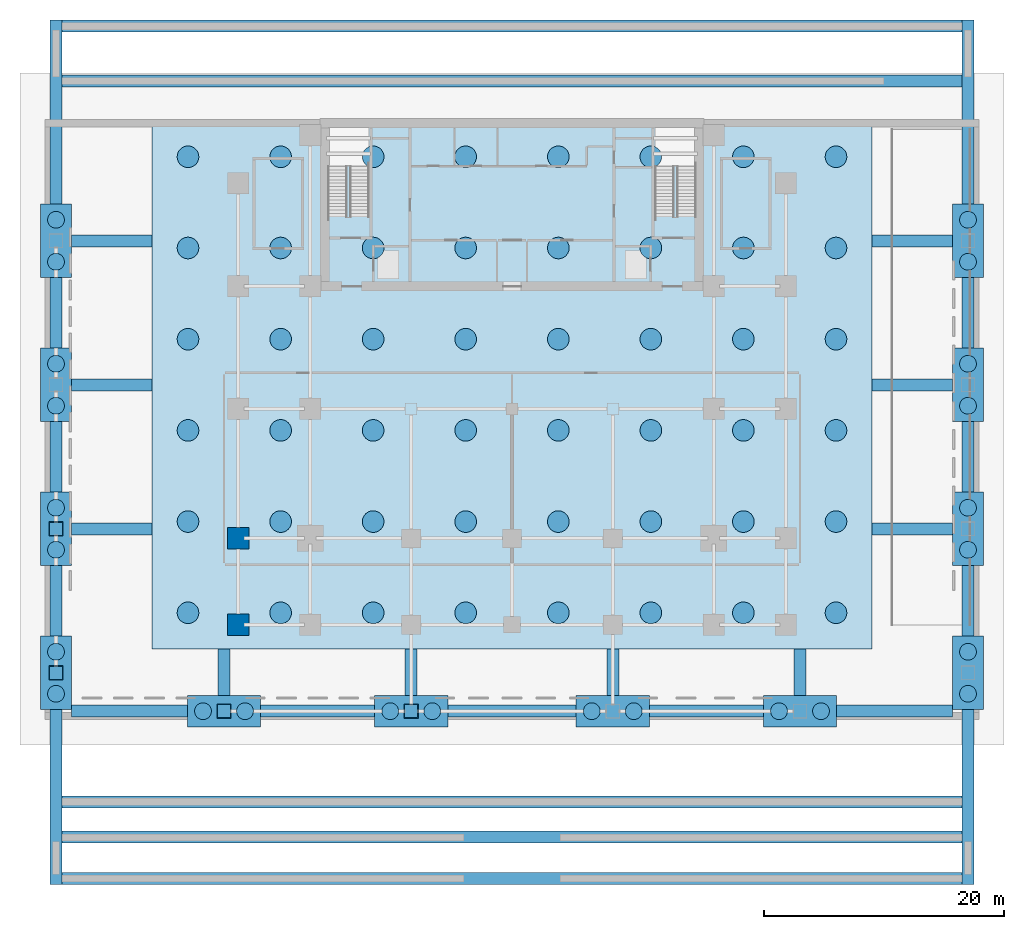
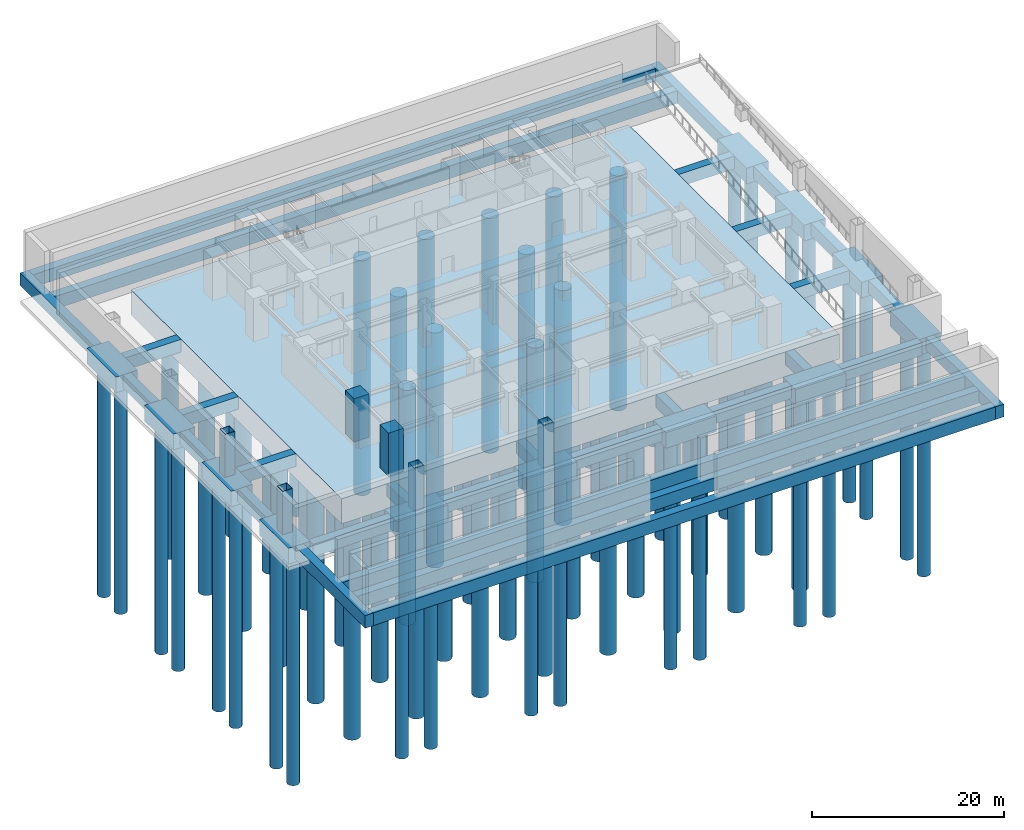
# One storey, part 1 of 9: 72 piles, 43 footings, 6 columns.
"""IFC4 building model written with IfcOpenShell, lengths in metres."""

from ifc_helpers import new_model, si_unit, direction, frame, origin, origin_2d, place, context, subcontext, project, spatial, polyline, rectangle, hollow_rectangle, circle, outline, extrude, source, transform, mapped, material, layer, layer_set, material_profile, profile_set, type_object, element, save


model = new_model("IFC4")

# Units and contexts
model_context = context("Model", 3, precision=1e-05, world=origin(), true_north=direction((0.0, 1.0)))
body_context = subcontext(model_context, "Body", "Model", "MODEL_VIEW")
ifc_project = project(units=[si_unit("LENGTHUNIT", "METRE"), si_unit("AREAUNIT", "SQUARE_METRE"), si_unit("VOLUMEUNIT", "CUBIC_METRE"), si_unit("PLANEANGLEUNIT", "RADIAN"), si_unit("MASSUNIT", "GRAM", prefix="KILO")], contexts=[model_context])

# Site, building, storey
site_placement = place(None, origin())
site = spatial("IfcSite", under=ifc_project, at=site_placement, CompositionType="ELEMENT")
building_placement = place(site_placement, origin())
building = spatial("IfcBuilding", under=site, at=building_placement, Name="Sumidabori Civic Tower", CompositionType="ELEMENT")
storey_placement = place(building_placement, frame((0.0, 0.0, -11.0)))
storey = spatial("IfcBuildingStorey", under=building, at=storey_placement, Name="B2", CompositionType="ELEMENT", Elevation=-11.0)

# Footings
ifc_material_1 = material(Name="Concrete C50/60", Category="concrete")
ifc_layer_1 = layer(ifc_material_1, 1.60009765625, Name="Concrete C50/60")
ifc_layer_set_1 = layer_set([ifc_layer_1], Name="Concrete C50/60")
footing_type_1 = type_object("IfcFootingType", Name="FT-GB-1000x1600", PredefinedType="FOOTING_BEAM", material=ifc_layer_set_1)
footing_1_placement = place(storey_placement, frame((0.0, 0.0, -1.60009765625)))
element("IfcFooting", 1, at=footing_1_placement, inside=storey, type_object=footing_type_1, Name="Foundation Grade Beam GB-W1", PredefinedType="FOOTING_BEAM", context=body_context, shape_type="SweptSolid", body=[
    extrude(outline(polyline([(-38.5, -18.949951171875), (-37.5, -18.949951171875), (-37.5, -13.050048828125), (-38.5, -13.050048828125), (-38.5, -18.949951171875)])), origin(), (0.0, 0.0, 1.0), 1.60009765625),
])
footing_2_placement = place(storey_placement, frame((0.0, 0.0, -1.60009765625)))
element("IfcFooting", 2, at=footing_2_placement, inside=storey, type_object=footing_type_1, Name="Foundation Grade Beam GB-W2", PredefinedType="FOOTING_BEAM", context=body_context, shape_type="SweptSolid", body=[
    extrude(outline(polyline([(-38.5, -6.949951171875), (-37.5, -6.949951171875), (-37.5, -1.050048828125), (-38.5, -1.050048828125), (-38.5, -6.949951171875)])), origin(), (0.0, 0.0, 1.0), 1.60009765625),
])
footing_3_placement = place(storey_placement, frame((0.0, 0.0, -1.60009765625)))
element("IfcFooting", 3, at=footing_3_placement, inside=storey, type_object=footing_type_1, Name="Foundation Grade Beam GB-W3", PredefinedType="FOOTING_BEAM", context=body_context, shape_type="SweptSolid", body=[
    extrude(outline(polyline([(-38.5, 5.050048828125), (-37.5, 5.050048828125), (-37.5, 10.949951171875), (-38.5, 10.949951171875), (-38.5, 5.050048828125)])), origin(), (0.0, 0.0, 1.0), 1.60009765625),
])
footing_4_placement = place(storey_placement, frame((0.0, 0.0, -1.60009765625)))
element("IfcFooting", 4, at=footing_4_placement, inside=storey, type_object=footing_type_1, Name="Foundation Grade Beam GB-WT2", PredefinedType="FOOTING_BEAM", context=body_context, shape_type="SweptSolid", body=[
    extrude(outline(polyline([(-36.699951171875, -10.5), (-30.0, -10.5), (-30.0, -9.5), (-36.699951171875, -9.5), (-36.699951171875, -10.5)])), origin(), (0.0, 0.0, 1.0), 1.60009765625),
])
footing_5_placement = place(storey_placement, frame((0.0, 0.0, -1.60009765625)))
element("IfcFooting", 5, at=footing_5_placement, inside=storey, type_object=footing_type_1, Name="Foundation Grade Beam GB-WT3", PredefinedType="FOOTING_BEAM", context=body_context, shape_type="SweptSolid", body=[
    extrude(outline(polyline([(-36.699951171875, 1.5), (-30.0, 1.5), (-30.0, 2.5), (-36.699951171875, 2.5), (-36.699951171875, 1.5)])), origin(), (0.0, 0.0, 1.0), 1.60009765625),
])
footing_6_placement = place(storey_placement, frame((0.0, 0.0, -1.60009765625)))
element("IfcFooting", 6, at=footing_6_placement, inside=storey, type_object=footing_type_1, Name="Foundation Grade Beam GB-WT4", PredefinedType="FOOTING_BEAM", context=body_context, shape_type="SweptSolid", body=[
    extrude(outline(polyline([(-36.699951171875, 13.5), (-30.0, 13.5), (-30.0, 14.5), (-36.699951171875, 14.5), (-36.699951171875, 13.5)])), origin(), (0.0, 0.0, 1.0), 1.60009765625),
])
footing_7_placement = place(storey_placement, frame((0.0, 0.0, -1.60009765625)))
element("IfcFooting", 7, at=footing_7_placement, inside=storey, type_object=footing_type_1, Name="Foundation Grade Beam GB-E1", PredefinedType="FOOTING_BEAM", context=body_context, shape_type="SweptSolid", body=[
    extrude(outline(polyline([(37.5, -18.949951171875), (38.5, -18.949951171875), (38.5, -13.050048828125), (37.5, -13.050048828125), (37.5, -18.949951171875)])), origin(), (0.0, 0.0, 1.0), 1.60009765625),
])
footing_8_placement = place(storey_placement, frame((0.0, 0.0, -1.60009765625)))
element("IfcFooting", 8, at=footing_8_placement, inside=storey, type_object=footing_type_1, Name="Foundation Grade Beam GB-E2", PredefinedType="FOOTING_BEAM", context=body_context, shape_type="SweptSolid", body=[
    extrude(outline(polyline([(37.5, -6.949951171875), (38.5, -6.949951171875), (38.5, -1.050048828125), (37.5, -1.050048828125), (37.5, -6.949951171875)])), origin(), (0.0, 0.0, 1.0), 1.60009765625),
])
footing_9_placement = place(storey_placement, frame((0.0, 0.0, -1.60009765625)))
element("IfcFooting", 9, at=footing_9_placement, inside=storey, type_object=footing_type_1, Name="Foundation Grade Beam GB-E3", PredefinedType="FOOTING_BEAM", context=body_context, shape_type="SweptSolid", body=[
    extrude(outline(polyline([(37.5, 5.050048828125), (38.5, 5.050048828125), (38.5, 10.949951171875), (37.5, 10.949951171875), (37.5, 5.050048828125)])), origin(), (0.0, 0.0, 1.0), 1.60009765625),
])
footing_10_placement = place(storey_placement, frame((0.0, 0.0, -1.60009765625)))
element("IfcFooting", 10, at=footing_10_placement, inside=storey, type_object=footing_type_1, Name="Foundation Grade Beam GB-ET2", PredefinedType="FOOTING_BEAM", context=body_context, shape_type="SweptSolid", body=[
    extrude(outline(polyline([(30.0, -10.5), (36.699951171875, -10.5), (36.699951171875, -9.5), (30.0, -9.5), (30.0, -10.5)])), origin(), (0.0, 0.0, 1.0), 1.60009765625),
])
footing_11_placement = place(storey_placement, frame((0.0, 0.0, -1.60009765625)))
element("IfcFooting", 11, at=footing_11_placement, inside=storey, type_object=footing_type_1, Name="Foundation Grade Beam GB-ET3", PredefinedType="FOOTING_BEAM", context=body_context, shape_type="SweptSolid", body=[
    extrude(outline(polyline([(30.0, 1.5), (36.699951171875, 1.5), (36.699951171875, 2.5), (30.0, 2.5), (30.0, 1.5)])), origin(), (0.0, 0.0, 1.0), 1.60009765625),
])
footing_12_placement = place(storey_placement, frame((0.0, 0.0, -1.60009765625)))
element("IfcFooting", 12, at=footing_12_placement, inside=storey, type_object=footing_type_1, Name="Foundation Grade Beam GB-ET4", PredefinedType="FOOTING_BEAM", context=body_context, shape_type="SweptSolid", body=[
    extrude(outline(polyline([(30.0, 13.5), (36.699951171875, 13.5), (36.699951171875, 14.5), (30.0, 14.5), (30.0, 13.5)])), origin(), (0.0, 0.0, 1.0), 1.60009765625),
])
footing_13_placement = place(storey_placement, frame((0.0, 0.0, -1.60009765625)))
element("IfcFooting", 13, at=footing_13_placement, inside=storey, type_object=footing_type_1, Name="Foundation Grade Beam GB-S0", PredefinedType="FOOTING_BEAM", context=body_context, shape_type="SweptSolid", body=[
    extrude(outline(polyline([(-36.699951171875, -25.699951171875), (-27.050048828125, -25.699951171875), (-27.050048828125, -24.699951171875), (-36.699951171875, -24.699951171875), (-36.699951171875, -25.699951171875)])), origin(), (0.0, 0.0, 1.0), 1.60009765625),
])
footing_14_placement = place(storey_placement, frame((0.0, 0.0, -1.60009765625)))
element("IfcFooting", 14, at=footing_14_placement, inside=storey, type_object=footing_type_1, Name="Foundation Grade Beam GB-S1", PredefinedType="FOOTING_BEAM", context=body_context, shape_type="SweptSolid", body=[
    extrude(outline(polyline([(-20.949951171875, -25.699951171875), (-11.449951171875, -25.699951171875), (-11.449951171875, -24.699951171875), (-20.949951171875, -24.699951171875), (-20.949951171875, -25.699951171875)])), origin(), (0.0, 0.0, 1.0), 1.60009765625),
])
footing_15_placement = place(storey_placement, frame((0.0, 0.0, -1.60009765625)))
element("IfcFooting", 15, at=footing_15_placement, inside=storey, type_object=footing_type_1, Name="Foundation Grade Beam GB-S2", PredefinedType="FOOTING_BEAM", context=body_context, shape_type="SweptSolid", body=[
    extrude(outline(polyline([(-5.35009765625, -25.699951171875), (5.35009765625, -25.699951171875), (5.35009765625, -24.699951171875), (-5.35009765625, -24.699951171875), (-5.35009765625, -25.699951171875)])), origin(), (0.0, 0.0, 1.0), 1.60009765625),
])
footing_16_placement = place(storey_placement, frame((0.0, 0.0, -1.60009765625)))
element("IfcFooting", 16, at=footing_16_placement, inside=storey, type_object=footing_type_1, Name="Foundation Grade Beam GB-S3", PredefinedType="FOOTING_BEAM", context=body_context, shape_type="SweptSolid", body=[
    extrude(outline(polyline([(11.449951171875, -25.699951171875), (20.949951171875, -25.699951171875), (20.949951171875, -24.699951171875), (11.449951171875, -24.699951171875), (11.449951171875, -25.699951171875)])), origin(), (0.0, 0.0, 1.0), 1.60009765625),
])
footing_17_placement = place(storey_placement, frame((0.0, 0.0, -1.60009765625)))
element("IfcFooting", 17, at=footing_17_placement, inside=storey, type_object=footing_type_1, Name="Foundation Grade Beam GB-S4", PredefinedType="FOOTING_BEAM", context=body_context, shape_type="SweptSolid", body=[
    extrude(outline(polyline([(27.050048828125, -25.699951171875), (36.699951171875, -25.699951171875), (36.699951171875, -24.699951171875), (27.050048828125, -24.699951171875), (27.050048828125, -25.699951171875)])), origin(), (0.0, 0.0, 1.0), 1.60009765625),
])
footing_18_placement = place(storey_placement, frame((0.0, 0.0, -1.60009765625)))
element("IfcFooting", 18, at=footing_18_placement, inside=storey, type_object=footing_type_1, Name="Foundation Grade Beam GB-ST1", PredefinedType="FOOTING_BEAM", context=body_context, shape_type="SweptSolid", body=[
    extrude(outline(polyline([(-24.5, -23.89990234375), (-23.5, -23.89990234375), (-23.5, -20.0), (-24.5, -20.0), (-24.5, -23.89990234375)])), origin(), (0.0, 0.0, 1.0), 1.60009765625),
])
footing_19_placement = place(storey_placement, frame((0.0, 0.0, -1.60009765625)))
element("IfcFooting", 19, at=footing_19_placement, inside=storey, type_object=footing_type_1, Name="Foundation Grade Beam GB-ST2", PredefinedType="FOOTING_BEAM", context=body_context, shape_type="SweptSolid", body=[
    extrude(outline(polyline([(-8.89990234375, -23.89990234375), (-7.89990234375, -23.89990234375), (-7.89990234375, -20.0), (-8.89990234375, -20.0), (-8.89990234375, -23.89990234375)])), origin(), (0.0, 0.0, 1.0), 1.60009765625),
])
footing_20_placement = place(storey_placement, frame((0.0, 0.0, -1.60009765625)))
element("IfcFooting", 20, at=footing_20_placement, inside=storey, type_object=footing_type_1, Name="Foundation Grade Beam GB-ST3", PredefinedType="FOOTING_BEAM", context=body_context, shape_type="SweptSolid", body=[
    extrude(outline(polyline([(7.89990234375, -23.89990234375), (8.89990234375, -23.89990234375), (8.89990234375, -20.0), (7.89990234375, -20.0), (7.89990234375, -23.89990234375)])), origin(), (0.0, 0.0, 1.0), 1.60009765625),
])
footing_21_placement = place(storey_placement, frame((0.0, 0.0, -1.60009765625)))
element("IfcFooting", 21, at=footing_21_placement, inside=storey, type_object=footing_type_1, Name="Foundation Grade Beam GB-ST4", PredefinedType="FOOTING_BEAM", context=body_context, shape_type="SweptSolid", body=[
    extrude(outline(polyline([(23.5, -23.89990234375), (24.5, -23.89990234375), (24.5, -20.0), (23.5, -20.0), (23.5, -23.89990234375)])), origin(), (0.0, 0.0, 1.0), 1.60009765625),
])
footing_22_placement = place(storey_placement, frame((0.0, 0.0, -1.60009765625)))
element("IfcFooting", 22, at=footing_22_placement, inside=storey, type_object=footing_type_1, Name="Foundation Grade Beam GB-PLZ-CW", PredefinedType="FOOTING_BEAM", context=body_context, shape_type="SweptSolid", body=[
    extrude(outline(polyline([(-38.5, -39.64990234375), (-37.5, -39.64990234375), (-37.5, -25.050048828125), (-38.5, -25.050048828125), (-38.5, -39.64990234375)])), origin(), (0.0, 0.0, 1.0), 1.60009765625),
])
footing_23_placement = place(storey_placement, frame((0.0, 0.0, -1.60009765625)))
element("IfcFooting", 23, at=footing_23_placement, inside=storey, type_object=footing_type_1, Name="Foundation Grade Beam GB-PLZ-CE", PredefinedType="FOOTING_BEAM", context=body_context, shape_type="SweptSolid", body=[
    extrude(outline(polyline([(37.5, -39.64990234375), (38.5, -39.64990234375), (38.5, -25.050048828125), (37.5, -25.050048828125), (37.5, -39.64990234375)])), origin(), (0.0, 0.0, 1.0), 1.60009765625),
])
footing_24_placement = place(storey_placement, frame((0.0, 0.0, -1.60009765625)))
element("IfcFooting", 24, at=footing_24_placement, inside=storey, type_object=footing_type_1, Name="Foundation Grade Beam GB-PLZ-S", PredefinedType="FOOTING_BEAM", context=body_context, shape_type="SweptSolid", body=[
    extrude(outline(polyline([(-37.5, -39.64990234375), (37.5, -39.64990234375), (37.5, -38.64990234375), (-37.5, -38.64990234375), (-37.5, -39.64990234375)])), origin(), (0.0, 0.0, 1.0), 1.60009765625),
])
footing_25_placement = place(storey_placement, frame((0.0, 0.0, -1.60009765625)))
element("IfcFooting", 25, at=footing_25_placement, inside=storey, type_object=footing_type_1, Name="Foundation Grade Beam GB-PLZ-N", PredefinedType="FOOTING_BEAM", context=body_context, shape_type="SweptSolid", body=[
    extrude(outline(polyline([(-37.5, -36.199951171875), (37.5, -36.199951171875), (37.5, -35.199951171875), (-37.5, -35.199951171875), (-37.5, -36.199951171875)])), origin(), (0.0, 0.0, 1.0), 1.60009765625),
])
footing_26_placement = place(storey_placement, frame((0.0, 0.0, -1.60009765625)))
element("IfcFooting", 26, at=footing_26_placement, inside=storey, type_object=footing_type_1, Name="Foundation Grade Beam GB-POD-S", PredefinedType="FOOTING_BEAM", context=body_context, shape_type="SweptSolid", body=[
    extrude(outline(polyline([(-37.5, -33.25), (37.5, -33.25), (37.5, -32.25), (-37.5, -32.25), (-37.5, -33.25)])), origin(), (0.0, 0.0, 1.0), 1.60009765625),
])
footing_27_placement = place(storey_placement, frame((0.0, 0.0, -1.60009765625)))
element("IfcFooting", 27, at=footing_27_placement, inside=storey, type_object=footing_type_1, Name="Foundation Grade Beam GB-SUB-W", PredefinedType="FOOTING_BEAM", context=body_context, shape_type="SweptSolid", body=[
    extrude(outline(polyline([(-38.5, 17.050048828125), (-37.5, 17.050048828125), (-37.5, 32.39990234375), (-38.5, 32.39990234375), (-38.5, 17.050048828125)])), origin(), (0.0, 0.0, 1.0), 1.60009765625),
])
footing_28_placement = place(storey_placement, frame((0.0, 0.0, -1.60009765625)))
element("IfcFooting", 28, at=footing_28_placement, inside=storey, type_object=footing_type_1, Name="Foundation Grade Beam GB-SUB-E", PredefinedType="FOOTING_BEAM", context=body_context, shape_type="SweptSolid", body=[
    extrude(outline(polyline([(37.5, 17.050048828125), (38.5, 17.050048828125), (38.5, 32.39990234375), (37.5, 32.39990234375), (37.5, 17.050048828125)])), origin(), (0.0, 0.0, 1.0), 1.60009765625),
])
footing_29_placement = place(storey_placement, frame((0.0, 0.0, -1.60009765625)))
element("IfcFooting", 29, at=footing_29_placement, inside=storey, type_object=footing_type_1, Name="Foundation Grade Beam GB-APR-N", PredefinedType="FOOTING_BEAM", context=body_context, shape_type="SweptSolid", body=[
    extrude(outline(polyline([(-37.5, 31.39990234375), (37.5, 31.39990234375), (37.5, 32.39990234375), (-37.5, 32.39990234375), (-37.5, 31.39990234375)])), origin(), (0.0, 0.0, 1.0), 1.60009765625),
])
footing_30_placement = place(storey_placement, frame((0.0, 0.0, -1.60009765625)))
element("IfcFooting", 30, at=footing_30_placement, inside=storey, type_object=footing_type_1, Name="Foundation Grade Beam GB-APR-S", PredefinedType="FOOTING_BEAM", context=body_context, shape_type="SweptSolid", body=[
    extrude(outline(polyline([(-37.5, 26.800048828125), (37.5, 26.800048828125), (37.5, 27.800048828125), (-37.5, 27.800048828125), (-37.5, 26.800048828125)])), origin(), (0.0, 0.0, 1.0), 1.60009765625),
])
ifc_material_2 = material(Name="Concrete C60/75", Category="concrete")
ifc_layer_2 = layer(ifc_material_2, 3.199951171875, Name="Concrete C60/75")
ifc_layer_set_2 = layer_set([ifc_layer_2], Name="Concrete C60/75")
footing_type_2 = type_object("IfcFootingType", Name="FT-RAFT-3200", PredefinedType="PAD_FOOTING", material=ifc_layer_set_2)
footing_31_placement = place(storey_placement, frame((0.0, 0.0, -3.199951171875)))
element("IfcFooting", 31, at=footing_31_placement, inside=storey, type_object=footing_type_2, Name="Tower Piled Raft FR-1", PredefinedType="PAD_FOOTING", context=body_context, shape_type="SweptSolid", body=[
    extrude(outline(polyline([(-30.0, -20.0), (30.0, -20.0), (30.0, 24.0), (-30.0, 24.0), (-30.0, -20.0)])), origin(), (0.0, 0.0, 1.0), 3.199951171875),
])

# Piles
ifc_material_profile_1 = material_profile(ifc_material_1, circle(Radius=0.89990234375, at=origin_2d()), Name="BORED PILE 1800")
ifc_profile_set_1 = profile_set([ifc_material_profile_1], Name="Concrete C50/60")
pile_type_1 = type_object("IfcPileType", Name="PL-BORED-1800", PredefinedType="BORED", material=ifc_profile_set_1)
shared_shape_1 = source(origin(), body_context, "Body", "SweptSolid", [
    extrude(circle(Radius=0.89990234375, at=origin_2d()), origin(), (0.0, 0.0, 1.0), 29.949951171875),
])
for number, where, z_axis, x_axis, name in (
    (32, (-27.0, -17.0, -3.050048828125), (0.0, 0.0, -1.0), (1.0, 0.0, 0.0), "Tower Bored Pile P1-01"),
    (33, (-27.0, -9.39990234375, -3.050048828125), (0.0, 0.0, -1.0), (1.0, 0.0, 0.0), "Tower Bored Pile P1-02"),
    (34, (-27.0, -1.800048828125, -3.050048828125), (0.0, 0.0, -1.0), (1.0, 0.0, 0.0), "Tower Bored Pile P1-03"),
    (35, (-27.0, 5.800048828125, -3.050048828125), (0.0, 0.0, -1.0), (1.0, 0.0, 0.0), "Tower Bored Pile P1-04"),
    (36, (-27.0, 13.39990234375, -3.050048828125), (0.0, 0.0, -1.0), (1.0, 0.0, 0.0), "Tower Bored Pile P1-05"),
    (37, (-27.0, 21.0, -3.050048828125), (0.0, 0.0, -1.0), (1.0, 0.0, 0.0), "Tower Bored Pile P1-06"),
    (38, (-19.280029296875, -17.0, -3.050048828125), (0.0, 0.0, -1.0), (1.0, 0.0, 0.0), "Tower Bored Pile P1-07"),
    (39, (-19.280029296875, -9.39990234375, -3.050048828125), (0.0, 0.0, -1.0), (1.0, 0.0, 0.0), "Tower Bored Pile P1-08"),
    (40, (-19.280029296875, -1.800048828125, -3.050048828125), (0.0, 0.0, -1.0), (1.0, 0.0, 0.0), "Tower Bored Pile P1-09"),
    (41, (-19.280029296875, 5.800048828125, -3.050048828125), (0.0, 0.0, -1.0), (1.0, 0.0, 0.0), "Tower Bored Pile P1-10"),
    (42, (-19.280029296875, 13.39990234375, -3.050048828125), (0.0, 0.0, -1.0), (1.0, 0.0, 0.0), "Tower Bored Pile P1-11"),
    (43, (-19.280029296875, 21.0, -3.050048828125), (0.0, 0.0, -1.0), (1.0, 0.0, 0.0), "Tower Bored Pile P1-12"),
    (44, (-11.570068359375, -17.0, -3.050048828125), (0.0, 0.0, -1.0), (1.0, 0.0, 0.0), "Tower Bored Pile P1-13"),
    (45, (-11.570068359375, -9.39990234375, -3.050048828125), (0.0, 0.0, -1.0), (1.0, 0.0, 0.0), "Tower Bored Pile P1-14"),
    (46, (-11.570068359375, -1.800048828125, -3.050048828125), (0.0, 0.0, -1.0), (1.0, 0.0, 0.0), "Tower Bored Pile P1-15"),
    (47, (-11.570068359375, 5.800048828125, -3.050048828125), (0.0, 0.0, -1.0), (1.0, 0.0, 0.0), "Tower Bored Pile P1-16"),
    (48, (-11.570068359375, 13.39990234375, -3.050048828125), (0.0, 0.0, -1.0), (1.0, 0.0, 0.0), "Tower Bored Pile P1-17"),
    (49, (-11.570068359375, 21.0, -3.050048828125), (0.0, 0.0, -1.0), (1.0, 0.0, 0.0), "Tower Bored Pile P1-18"),
    (50, (-3.860107421875, -17.0, -3.050048828125), (0.0, 0.0, -1.0), (1.0, 0.0, 0.0), "Tower Bored Pile P1-19"),
    (51, (-3.860107421875, -9.39990234375, -3.050048828125), (0.0, 0.0, -1.0), (1.0, 0.0, 0.0), "Tower Bored Pile P1-20"),
    (52, (-3.860107421875, -1.800048828125, -3.050048828125), (0.0, 0.0, -1.0), (1.0, 0.0, 0.0), "Tower Bored Pile P1-21"),
    (53, (-3.860107421875, 5.800048828125, -3.050048828125), (0.0, 0.0, -1.0), (1.0, 0.0, 0.0), "Tower Bored Pile P1-22"),
    (54, (-3.860107421875, 13.39990234375, -3.050048828125), (0.0, 0.0, -1.0), (1.0, 0.0, 0.0), "Tower Bored Pile P1-23"),
    (55, (-3.860107421875, 21.0, -3.050048828125), (0.0, 0.0, -1.0), (1.0, 0.0, 0.0), "Tower Bored Pile P1-24"),
    (56, (3.860107421875, -17.0, -3.050048828125), (0.0, 0.0, -1.0), (1.0, 0.0, 0.0), "Tower Bored Pile P1-25"),
    (57, (3.860107421875, -9.39990234375, -3.050048828125), (0.0, 0.0, -1.0), (1.0, 0.0, 0.0), "Tower Bored Pile P1-26"),
    (58, (3.860107421875, -1.800048828125, -3.050048828125), (0.0, 0.0, -1.0), (1.0, 0.0, 0.0), "Tower Bored Pile P1-27"),
    (59, (3.860107421875, 5.800048828125, -3.050048828125), (0.0, 0.0, -1.0), (1.0, 0.0, 0.0), "Tower Bored Pile P1-28"),
    (60, (3.860107421875, 13.39990234375, -3.050048828125), (0.0, 0.0, -1.0), (1.0, 0.0, 0.0), "Tower Bored Pile P1-29"),
    (61, (3.860107421875, 21.0, -3.050048828125), (0.0, 0.0, -1.0), (1.0, 0.0, 0.0), "Tower Bored Pile P1-30"),
    (62, (11.570068359375, -17.0, -3.050048828125), (0.0, 0.0, -1.0), (1.0, 0.0, 0.0), "Tower Bored Pile P1-31"),
    (63, (11.570068359375, -9.39990234375, -3.050048828125), (0.0, 0.0, -1.0), (1.0, 0.0, 0.0), "Tower Bored Pile P1-32"),
    (64, (11.570068359375, -1.800048828125, -3.050048828125), (0.0, 0.0, -1.0), (1.0, 0.0, 0.0), "Tower Bored Pile P1-33"),
    (65, (11.570068359375, 5.800048828125, -3.050048828125), (0.0, 0.0, -1.0), (1.0, 0.0, 0.0), "Tower Bored Pile P1-34"),
    (66, (11.570068359375, 13.39990234375, -3.050048828125), (0.0, 0.0, -1.0), (1.0, 0.0, 0.0), "Tower Bored Pile P1-35"),
    (67, (11.570068359375, 21.0, -3.050048828125), (0.0, 0.0, -1.0), (1.0, 0.0, 0.0), "Tower Bored Pile P1-36"),
    (68, (19.280029296875, -17.0, -3.050048828125), (0.0, 0.0, -1.0), (1.0, 0.0, 0.0), "Tower Bored Pile P1-37"),
    (69, (19.280029296875, -9.39990234375, -3.050048828125), (0.0, 0.0, -1.0), (1.0, 0.0, 0.0), "Tower Bored Pile P1-38"),
    (70, (19.280029296875, -1.800048828125, -3.050048828125), (0.0, 0.0, -1.0), (1.0, 0.0, 0.0), "Tower Bored Pile P1-39"),
    (71, (19.280029296875, 5.800048828125, -3.050048828125), (0.0, 0.0, -1.0), (1.0, 0.0, 0.0), "Tower Bored Pile P1-40"),
    (72, (19.280029296875, 13.39990234375, -3.050048828125), (0.0, 0.0, -1.0), (1.0, 0.0, 0.0), "Tower Bored Pile P1-41"),
    (73, (19.280029296875, 21.0, -3.050048828125), (0.0, 0.0, -1.0), (1.0, 0.0, 0.0), "Tower Bored Pile P1-42"),
    (74, (27.0, -17.0, -3.050048828125), (0.0, 0.0, -1.0), (1.0, 0.0, 0.0), "Tower Bored Pile P1-43"),
    (75, (27.0, -9.39990234375, -3.050048828125), (0.0, 0.0, -1.0), (1.0, 0.0, 0.0), "Tower Bored Pile P1-44"),
    (76, (27.0, -1.800048828125, -3.050048828125), (0.0, 0.0, -1.0), (1.0, 0.0, 0.0), "Tower Bored Pile P1-45"),
    (77, (27.0, 5.800048828125, -3.050048828125), (0.0, 0.0, -1.0), (1.0, 0.0, 0.0), "Tower Bored Pile P1-46"),
    (78, (27.0, 13.39990234375, -3.050048828125), (0.0, 0.0, -1.0), (1.0, 0.0, 0.0), "Tower Bored Pile P1-47"),
    (79, (27.0, 21.0, -3.050048828125), (0.0, 0.0, -1.0), (1.0, 0.0, 0.0), "Tower Bored Pile P1-48"),
):
    element("IfcPile", number, at=place(storey_placement, frame(where, z_axis=z_axis, x_axis=x_axis)), inside=storey, type_object=pile_type_1, Name=name, PredefinedType="BORED", context=body_context, shape_type="MappedRepresentation", body=[
        mapped(shared_shape_1, transform((0.0, 0.0, 0.0), x_axis=(1.0, 0.0, 0.0), y_axis=(0.0, 1.0, 0.0), z_axis=(0.0, 0.0, 1.0), scale=1.0)),
    ])

# Footings
ifc_layer_3 = layer(ifc_material_1, 2.0, Name="Concrete C50/60")
ifc_layer_set_3 = layer_set([ifc_layer_3], Name="Concrete C50/60")
footing_type_3 = type_object("IfcFootingType", Name="FT-CAP-2600x6100", PredefinedType="PILE_CAP", material=ifc_layer_set_3)
shared_shape_2 = source(origin(), body_context, "Body", "SweptSolid", [
    extrude(rectangle(XDim=2.60009765625, YDim=6.10009765625, at=origin_2d()), origin(), (0.0, 0.0, 1.0), 2.0),
])
for number, where, z_axis, x_axis, name in (
    (80, (-38.0, -22.0, -2.0), (0.0, 0.0, 1.0), (1.0, 0.0, 0.0), "Podium Pile Cap WC1"),
    (81, (-38.0, -10.0, -2.0), (0.0, 0.0, 1.0), (1.0, 0.0, 0.0), "Podium Pile Cap WC2"),
    (82, (-38.0, 2.0, -2.0), (0.0, 0.0, 1.0), (1.0, 0.0, 0.0), "Podium Pile Cap WC3"),
    (83, (-38.0, 14.0, -2.0), (0.0, 0.0, 1.0), (1.0, 0.0, 0.0), "Podium Pile Cap WC4"),
    (84, (38.0, -22.0, -2.0), (0.0, 0.0, 1.0), (1.0, 0.0, 0.0), "Podium Pile Cap EC1"),
    (85, (38.0, -10.0, -2.0), (0.0, 0.0, 1.0), (1.0, 0.0, 0.0), "Podium Pile Cap EC2"),
    (86, (38.0, 2.0, -2.0), (0.0, 0.0, 1.0), (1.0, 0.0, 0.0), "Podium Pile Cap EC3"),
    (87, (38.0, 14.0, -2.0), (0.0, 0.0, 1.0), (1.0, 0.0, 0.0), "Podium Pile Cap EC4"),
):
    element("IfcFooting", number, at=place(storey_placement, frame(where, z_axis=z_axis, x_axis=x_axis)), inside=storey, type_object=footing_type_3, Name=name, PredefinedType="PILE_CAP", context=body_context, shape_type="MappedRepresentation", body=[
        mapped(shared_shape_2, transform((0.0, 0.0, 0.0), x_axis=(1.0, 0.0, 0.0), y_axis=(0.0, 1.0, 0.0), z_axis=(0.0, 0.0, 1.0), scale=1.0)),
    ])

# Piles
ifc_material_profile_2 = material_profile(ifc_material_1, circle(Radius=0.699951171875, at=origin_2d()), Name="BORED PILE 1400")
ifc_profile_set_2 = profile_set([ifc_material_profile_2], Name="Concrete C50/60")
pile_type_2 = type_object("IfcPileType", Name="PL-BORED-1400", PredefinedType="BORED", material=ifc_profile_set_2)
shared_shape_3 = source(origin(), body_context, "Body", "SweptSolid", [
    extrude(circle(Radius=0.699951171875, at=origin_2d()), origin(), (0.0, 0.0, 1.0), 29.14990234375),
])
for number, where, z_axis, x_axis, name in (
    (88, (-38.0, -23.75, -1.85009765625), (0.0, 0.0, -1.0), (1.0, 0.0, 0.0), "Podium Bored Pile P2-01"),
    (89, (-38.0, -20.25, -1.85009765625), (0.0, 0.0, -1.0), (1.0, 0.0, 0.0), "Podium Bored Pile P2-02"),
    (90, (-38.0, -11.75, -1.85009765625), (0.0, 0.0, -1.0), (1.0, 0.0, 0.0), "Podium Bored Pile P2-03"),
    (91, (-38.0, -8.25, -1.85009765625), (0.0, 0.0, -1.0), (1.0, 0.0, 0.0), "Podium Bored Pile P2-04"),
    (92, (-38.0, 0.25, -1.85009765625), (0.0, 0.0, -1.0), (1.0, 0.0, 0.0), "Podium Bored Pile P2-05"),
    (93, (-38.0, 3.75, -1.85009765625), (0.0, 0.0, -1.0), (1.0, 0.0, 0.0), "Podium Bored Pile P2-06"),
    (94, (-38.0, 12.25, -1.85009765625), (0.0, 0.0, -1.0), (1.0, 0.0, 0.0), "Podium Bored Pile P2-07"),
    (95, (-38.0, 15.75, -1.85009765625), (0.0, 0.0, -1.0), (1.0, 0.0, 0.0), "Podium Bored Pile P2-08"),
    (96, (38.0, -23.75, -1.85009765625), (0.0, 0.0, -1.0), (1.0, 0.0, 0.0), "Podium Bored Pile P2-09"),
    (97, (38.0, -20.25, -1.85009765625), (0.0, 0.0, -1.0), (1.0, 0.0, 0.0), "Podium Bored Pile P2-10"),
    (98, (38.0, -11.75, -1.85009765625), (0.0, 0.0, -1.0), (1.0, 0.0, 0.0), "Podium Bored Pile P2-11"),
    (99, (38.0, -8.25, -1.85009765625), (0.0, 0.0, -1.0), (1.0, 0.0, 0.0), "Podium Bored Pile P2-12"),
    (100, (38.0, 0.25, -1.85009765625), (0.0, 0.0, -1.0), (1.0, 0.0, 0.0), "Podium Bored Pile P2-13"),
    (101, (38.0, 3.75, -1.85009765625), (0.0, 0.0, -1.0), (1.0, 0.0, 0.0), "Podium Bored Pile P2-14"),
    (102, (38.0, 12.25, -1.85009765625), (0.0, 0.0, -1.0), (1.0, 0.0, 0.0), "Podium Bored Pile P2-15"),
    (103, (38.0, 15.75, -1.85009765625), (0.0, 0.0, -1.0), (1.0, 0.0, 0.0), "Podium Bored Pile P2-16"),
    (104, (-25.75, -25.199951171875, -1.85009765625), (0.0, 0.0, -1.0), (1.0, 0.0, 0.0), "Podium Bored Pile P2-17"),
    (105, (-22.25, -25.199951171875, -1.85009765625), (0.0, 0.0, -1.0), (1.0, 0.0, 0.0), "Podium Bored Pile P2-18"),
    (106, (-10.14990234375, -25.199951171875, -1.85009765625), (0.0, 0.0, -1.0), (1.0, 0.0, 0.0), "Podium Bored Pile P2-19"),
    (107, (-6.64990234375, -25.199951171875, -1.85009765625), (0.0, 0.0, -1.0), (1.0, 0.0, 0.0), "Podium Bored Pile P2-20"),
    (108, (6.64990234375, -25.199951171875, -1.85009765625), (0.0, 0.0, -1.0), (1.0, 0.0, 0.0), "Podium Bored Pile P2-21"),
    (109, (10.14990234375, -25.199951171875, -1.85009765625), (0.0, 0.0, -1.0), (1.0, 0.0, 0.0), "Podium Bored Pile P2-22"),
    (110, (22.25, -25.199951171875, -1.85009765625), (0.0, 0.0, -1.0), (1.0, 0.0, 0.0), "Podium Bored Pile P2-23"),
    (111, (25.75, -25.199951171875, -1.85009765625), (0.0, 0.0, -1.0), (1.0, 0.0, 0.0), "Podium Bored Pile P2-24"),
):
    element("IfcPile", number, at=place(storey_placement, frame(where, z_axis=z_axis, x_axis=x_axis)), inside=storey, type_object=pile_type_2, Name=name, PredefinedType="BORED", context=body_context, shape_type="MappedRepresentation", body=[
        mapped(shared_shape_3, transform((0.0, 0.0, 0.0), x_axis=(1.0, 0.0, 0.0), y_axis=(0.0, 1.0, 0.0), z_axis=(0.0, 0.0, 1.0), scale=1.0)),
    ])

# Footings
ifc_layer_4 = layer(ifc_material_1, 2.0, Name="Concrete C50/60")
ifc_layer_set_4 = layer_set([ifc_layer_4], Name="Concrete C50/60")
footing_type_4 = type_object("IfcFootingType", Name="FT-CAP-6100x2600", PredefinedType="PILE_CAP", material=ifc_layer_set_4)
shared_shape_4 = source(origin(), body_context, "Body", "SweptSolid", [
    extrude(rectangle(XDim=6.10009765625, YDim=2.60009765625, at=origin_2d()), origin(), (0.0, 0.0, 1.0), 2.0),
])
for number, where, z_axis, x_axis, name in (
    (112, (-24.0, -25.199951171875, -2.0), (0.0, 0.0, 1.0), (1.0, 0.0, 0.0), "Podium Pile Cap SC1"),
    (113, (-8.39990234375, -25.199951171875, -2.0), (0.0, 0.0, 1.0), (1.0, 0.0, 0.0), "Podium Pile Cap SC2"),
    (114, (8.39990234375, -25.199951171875, -2.0), (0.0, 0.0, 1.0), (1.0, 0.0, 0.0), "Podium Pile Cap SC3"),
    (115, (24.0, -25.199951171875, -2.0), (0.0, 0.0, 1.0), (1.0, 0.0, 0.0), "Podium Pile Cap SC4"),
):
    element("IfcFooting", number, at=place(storey_placement, frame(where, z_axis=z_axis, x_axis=x_axis)), inside=storey, type_object=footing_type_4, Name=name, PredefinedType="PILE_CAP", context=body_context, shape_type="MappedRepresentation", body=[
        mapped(shared_shape_4, transform((0.0, 0.0, 0.0), x_axis=(1.0, 0.0, 0.0), y_axis=(0.0, 1.0, 0.0), z_axis=(0.0, 0.0, 1.0), scale=1.0)),
    ])

# Columns
ifc_material_3 = material(Name="Steel SM570", Category="steel")
ifc_material_profile_3 = material_profile(ifc_material_3, hollow_rectangle(XDim=1.199951171875, YDim=1.199951171875, WallThickness=0.054931640625, at=origin_2d()), Name="SHS 1200x1200x55")
ifc_profile_set_3 = profile_set([ifc_material_profile_3], Name="Steel SM570")
column_type_1 = type_object("IfcColumnType", Name="CL-POD-SHS1200", PredefinedType="COLUMN", material=ifc_profile_set_3)
shared_shape_5 = source(origin(), body_context, "Body", "SweptSolid", [
    extrude(hollow_rectangle(XDim=1.199951171875, YDim=1.199951171875, WallThickness=0.054931640625, at=origin_2d()), origin(), (0.0, 0.0, 1.0), 5.5),
])
for number, where, z_axis, x_axis, name in (
    (116, (-38.0, -22.0, 0.0), (0.0, 0.0, 1.0), (1.0, 0.0, 0.0), "Column PC-W1 B2"),
    (117, (-38.0, -10.0, 0.0), (0.0, 0.0, 1.0), (1.0, 0.0, 0.0), "Column PC-W2 B2"),
    (118, (-24.0, -25.199951171875, 0.0), (0.0, 0.0, 1.0), (1.0, 0.0, 0.0), "Column PC-S1 B2"),
    (119, (-8.39990234375, -25.199951171875, 0.0), (0.0, 0.0, 1.0), (1.0, 0.0, 0.0), "Column PC-S2 B2"),
):
    element("IfcColumn", number, at=place(storey_placement, frame(where, z_axis=z_axis, x_axis=x_axis)), inside=storey, type_object=column_type_1, Name=name, PredefinedType="COLUMN", context=body_context, shape_type="MappedRepresentation", body=[
        mapped(shared_shape_5, transform((0.0, 0.0, 0.0), x_axis=(1.0, 0.0, 0.0), y_axis=(0.0, 1.0, 0.0), z_axis=(0.0, 0.0, 1.0), scale=1.0)),
    ])
ifc_material_profile_4 = material_profile(ifc_material_2, rectangle(XDim=1.800048828125, YDim=1.800048828125, at=origin_2d()), Name="RC 1800x1800")
ifc_profile_set_4 = profile_set([ifc_material_profile_4], Name="Concrete C60/75")
column_type_2 = type_object("IfcColumnType", Name="CL-MEGA-1800", PredefinedType="COLUMN", material=ifc_profile_set_4)
shared_shape_6 = source(origin(), body_context, "Body", "SweptSolid", [
    extrude(rectangle(XDim=1.800048828125, YDim=1.800048828125, at=origin_2d()), origin(), (0.0, 0.0, 1.0), 5.5),
])
for number, where, z_axis, x_axis, name in (
    (120, (-22.800048828125, -18.0, 0.0), (0.0, 0.0, 1.0), (1.0, 0.0, 0.0), "Column MC-W23-Y18S B2"),
    (121, (-22.800048828125, -10.800048828125, 0.0), (0.0, 0.0, 1.0), (1.0, 0.0, 0.0), "Column MC-W23-Y11S B2"),
):
    element("IfcColumn", number, at=place(storey_placement, frame(where, z_axis=z_axis, x_axis=x_axis)), inside=storey, type_object=column_type_2, Name=name, PredefinedType="COLUMN", context=body_context, shape_type="MappedRepresentation", body=[
        mapped(shared_shape_6, transform((0.0, 0.0, 0.0), x_axis=(1.0, 0.0, 0.0), y_axis=(0.0, 1.0, 0.0), z_axis=(0.0, 0.0, 1.0), scale=1.0)),
    ])

save(model, "model.ifc")
